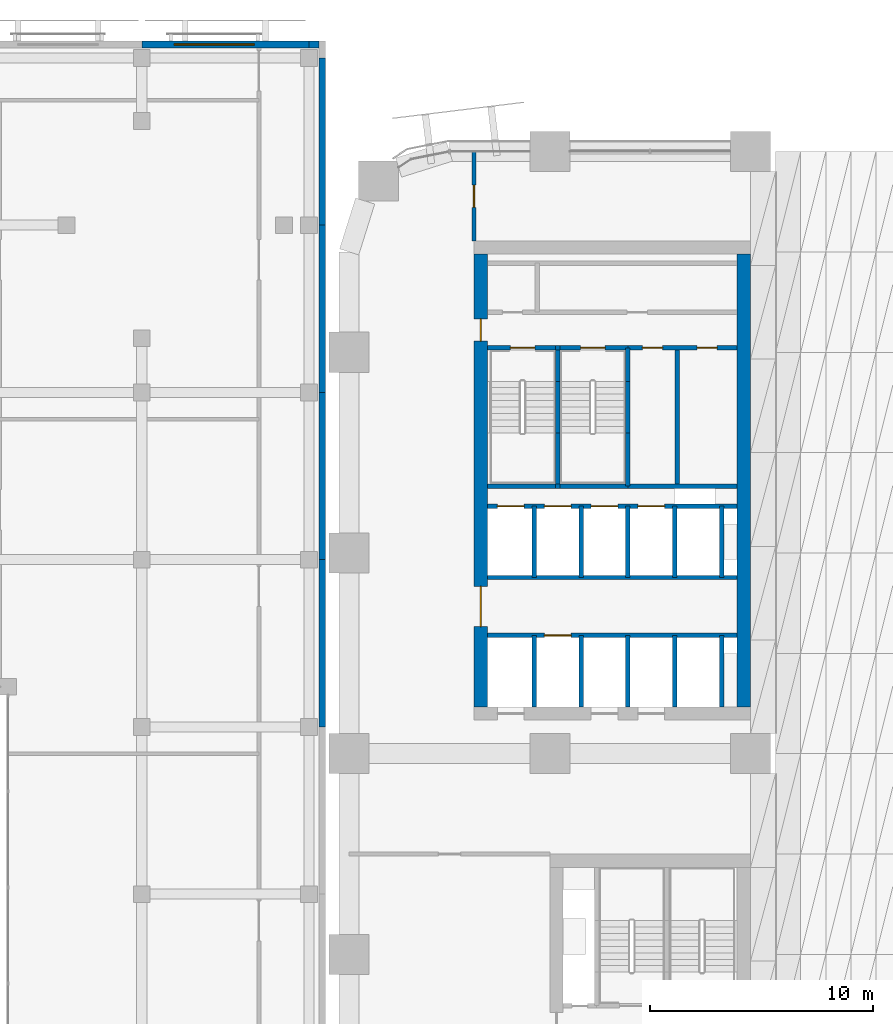
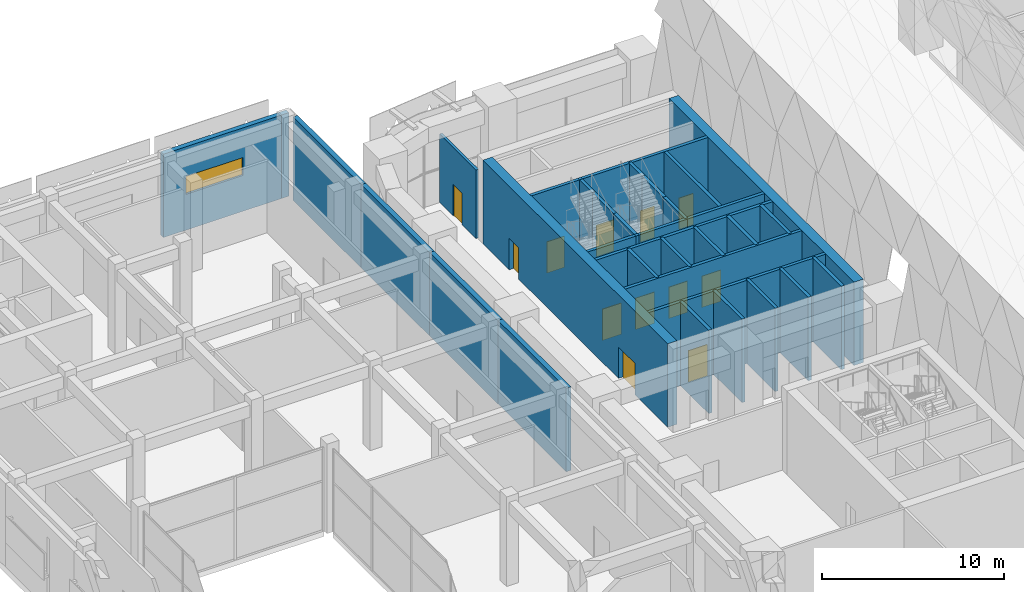
# One storey, part 20 of 46: 37 walls, 12 doors, 1 window, 13 openings.
"""IFC4 building model written with IfcOpenShell, lengths in metres."""

from ifc_helpers import new_model, si_unit, direction, frame, frame_2d, origin, place, context, subcontext, project, spatial, rectangle, extrude, material, layer, layer_set, type_object, element, fill, save


model = new_model("IFC4")

# Units and contexts
model_context = context("Model", 3, precision=1e-05, world=origin(), true_north=direction((0.0, 1.0)))
body_context = subcontext(model_context, "Body", "Model", "MODEL_VIEW")
ifc_project = project(units=[si_unit("LENGTHUNIT", "METRE"), si_unit("AREAUNIT", "SQUARE_METRE"), si_unit("VOLUMEUNIT", "CUBIC_METRE"), si_unit("PLANEANGLEUNIT", "RADIAN"), si_unit("MASSUNIT", "GRAM", prefix="KILO")], contexts=[model_context])

# Site, building, storey
site_placement = place(None, origin())
site = spatial("IfcSite", under=ifc_project, at=site_placement, CompositionType="ELEMENT")
building_placement = place(site_placement, origin())
building = spatial("IfcBuilding", under=site, at=building_placement, Name="Tessera Arch", CompositionType="ELEMENT")
storey_placement = place(building_placement, frame((0.0, 0.0, 8.0)))
storey = spatial("IfcBuildingStorey", under=building, at=storey_placement, Name="L01", CompositionType="ELEMENT", Elevation=8.0)

# Wall
ifc_material_1 = material(Name="Gypsum board on steel stud", Category="steel")
ifc_layer_1 = layer(ifc_material_1, 0.125)
ifc_layer_set_1 = layer_set([ifc_layer_1], Name="Core partition 125 EI 60")
wall_type_1 = type_object("IfcWallType", Name="Core partition 125 EI 60", PredefinedType="PARTITIONING", material=ifc_layer_set_1)
wall_1_placement = place(storey_placement, frame((14.705078125, 39.0, 0.0), z_axis=(0.0, 0.0, 1.0), x_axis=(0.0, 1.0, 0.0)))
element("IfcWall", 1, at=wall_1_placement, inside=storey, type_object=wall_type_1, Name="L01 C2 partition wall 16", PredefinedType="PARTITIONING", context=body_context, shape_type="SweptSolid", body=[
    extrude(rectangle(XDim=6.199951171875, YDim=0.199951171875, at=frame_2d((3.10009765625, 0.0))), origin(), (0.0, 0.0, 1.0), 5.590087890625),
])

# Wall, openings, doors
wall_2_placement = place(storey_placement, frame((12.5, 45.199951171875, 0.0), z_axis=(0.0, 0.0, 1.0), x_axis=(1.0, 0.0, 0.0)))
wall_2 = element("IfcWall", 2, at=wall_2_placement, inside=storey, type_object=wall_type_1, Name="L01 C2 partition wall 26", PredefinedType="PARTITIONING", context=body_context, shape_type="SweptSolid", body=[
    extrude(rectangle(XDim=4.89990234375, YDim=0.199951171875, at=frame_2d((2.449951171875, 0.0))), origin(), (0.0, 0.0, 1.0), 5.590087890625),
])
opening_1_placement = place(wall_2_placement, frame((0.652587890625, 0.0, 0.0)))
opening_1 = element("IfcOpeningElement", 3, at=opening_1_placement, cuts=wall_2, Name="Opening L01-C27", PredefinedType="OPENING", context=body_context, shape_type="SweptSolid", body=[
    extrude(rectangle(XDim=0.89990234375, YDim=2.10009765625, at=frame_2d((0.449951171875, 1.050048828125))), frame((0.0, 0.10986328125, 0.0), z_axis=(0.0, -1.0, 0.0), x_axis=(1.0, 0.0, 0.0)), (0.0, 0.0, 1.0), 0.219970703125),
])
opening_2_placement = place(wall_2_placement, frame((3.1025390625, 0.0, 0.0)))
opening_2 = element("IfcOpeningElement", 4, at=opening_2_placement, cuts=wall_2, Name="Opening L01-C28", PredefinedType="OPENING", context=body_context, shape_type="SweptSolid", body=[
    extrude(rectangle(XDim=0.89990234375, YDim=2.10009765625, at=frame_2d((0.449951171875, 1.050048828125))), frame((0.0, 0.10986328125, 0.0), z_axis=(0.0, -1.0, 0.0), x_axis=(1.0, 0.0, 0.0)), (0.0, 0.0, 1.0), 0.219970703125),
])
ifc_material_2 = material(Name="Steel door leaf", Category="steel")
door_type_1 = type_object("IfcDoorType", Name="Store door FD30S 900 x 2100", OperationType="SINGLE_SWING_LEFT", PredefinedType="DOOR", material=ifc_material_2)
door_1_placement = place(opening_1_placement, origin())
door_1 = element("IfcDoor", 5, at=door_1_placement, inside=storey, type_object=door_type_1, Name="L01 C2 door 15 C27 type D09", OperationType="SINGLE_SWING_LEFT", OverallHeight=2.10009765625, OverallWidth=0.89990234375, PredefinedType="DOOR", context=body_context, shape_type="SweptSolid", body=[
    extrude(rectangle(XDim=0.89990234375, YDim=2.10009765625, at=frame_2d((0.449951171875, 1.050048828125))), frame((0.0, 0.02490234375, 0.0), z_axis=(0.0, -1.0, 0.0), x_axis=(1.0, 0.0, 0.0)), (0.0, 0.0, 1.0), 0.050048828125),
])
fill(opening_1, door_1)
door_2_placement = place(opening_2_placement, origin())
door_2 = element("IfcDoor", 6, at=door_2_placement, inside=storey, type_object=door_type_1, Name="L01 C2 door 16 C28 type D09", OperationType="SINGLE_SWING_RIGHT", OverallHeight=2.10009765625, OverallWidth=0.89990234375, PredefinedType="DOOR", context=body_context, shape_type="SweptSolid", body=[
    extrude(rectangle(XDim=0.89990234375, YDim=2.10009765625, at=frame_2d((0.449951171875, 1.050048828125))), frame((0.0, 0.02490234375, 0.0), z_axis=(0.0, -1.0, 0.0), x_axis=(1.0, 0.0, 0.0)), (0.0, 0.0, 1.0), 0.050048828125),
])
fill(opening_2, door_2)

ifc_material_3 = material(Name="Concrete C70/85", Category="concrete")
ifc_layer_2 = layer(ifc_material_3, 0.60009765625)
ifc_layer_set_2 = layer_set([ifc_layer_2], Name="Core shell wall 600 C70-85")
wall_type_2 = type_object("IfcWallType", Name="Core shell wall 600 C70-85", PredefinedType="SHEAR", material=ifc_layer_set_2)
wall_3_placement = place(storey_placement, frame((5.89990234375, 29.10009765625, 0.0), z_axis=(0.0, 0.0, 1.0), x_axis=(0.0, 1.0, 0.0)))
wall_3 = element("IfcWall", 7, at=wall_3_placement, inside=storey, type_object=wall_type_2, Name="L01 C2 core wall W", PredefinedType="SHEAR", context=body_context, shape_type="SweptSolid", body=[
    extrude(rectangle(XDim=20.2998046875, YDim=0.60009765625, at=frame_2d((10.14990234375, 0.0))), origin(), (0.0, 0.0, 1.0), 5.590087890625),
])
opening_3_placement = place(wall_3_placement, frame((3.60009765625, 0.0, 0.0)))
opening_3 = element("IfcOpeningElement", 8, at=opening_3_placement, cuts=wall_3, Name="Opening L01-C21", PredefinedType="OPENING", context=body_context, shape_type="SweptSolid", body=[
    extrude(rectangle(XDim=1.800048828125, YDim=2.10009765625, at=frame_2d((0.89990234375, 1.050048828125))), frame((0.0, 0.31005859375, 0.0), z_axis=(0.0, -1.0, 0.0), x_axis=(1.0, 0.0, 0.0)), (0.0, 0.0, 1.0), 0.6201171875),
])
opening_4_placement = place(wall_3_placement, frame((16.39990234375, 0.0, 0.0)))
opening_4 = element("IfcOpeningElement", 9, at=opening_4_placement, cuts=wall_3, Name="Opening L01-C24", PredefinedType="OPENING", context=body_context, shape_type="SweptSolid", body=[
    extrude(rectangle(XDim=1.0, YDim=2.10009765625, at=frame_2d((0.5, 1.050048828125))), frame((0.0, 0.31005859375, 0.0), z_axis=(0.0, -1.0, 0.0), x_axis=(1.0, 0.0, 0.0)), (0.0, 0.0, 1.0), 0.6201171875),
])
ifc_material_4 = material(Name="Steel door leaf", Category="steel")
door_type_2 = type_object("IfcDoorType", Name="Corridor door FD60 1000 x 2100", OperationType="SINGLE_SWING_LEFT", PredefinedType="DOOR", material=ifc_material_4)
door_3_placement = place(opening_4_placement, origin())
door_3 = element("IfcDoor", 10, at=door_3_placement, inside=storey, type_object=door_type_2, Name="L01 C2 door 12 C24 type D12", OperationType="SINGLE_SWING_RIGHT", OverallHeight=2.10009765625, OverallWidth=1.0, PredefinedType="DOOR", context=body_context, shape_type="SweptSolid", body=[
    extrude(rectangle(XDim=1.0, YDim=2.10009765625, at=frame_2d((0.5, 1.050048828125))), frame((0.0, 0.02490234375, 0.0), z_axis=(0.0, -1.0, 0.0), x_axis=(1.0, 0.0, 0.0)), (0.0, 0.0, 1.0), 0.050048828125),
])
fill(opening_4, door_3)
ifc_material_5 = material(Name="Glazed steel door leaf", Category="steel")
door_type_3 = type_object("IfcDoorType", Name="Lobby double door FD30S 1800 x 2100", OperationType="DOUBLE_DOOR_SINGLE_SWING", PredefinedType="DOOR", material=ifc_material_5)
door_4_placement = place(opening_3_placement, origin())
door_4 = element("IfcDoor", 11, at=door_4_placement, inside=storey, type_object=door_type_3, Name="L01 C2 door 9 C21 type D06", OperationType="DOUBLE_DOOR_SINGLE_SWING", OverallHeight=2.10009765625, OverallWidth=1.800048828125, PredefinedType="DOOR", context=body_context, shape_type="SweptSolid", body=[
    extrude(rectangle(XDim=1.800048828125, YDim=2.10009765625, at=frame_2d((0.89990234375, 1.050048828125))), frame((0.0, 0.02490234375, 0.0), z_axis=(0.0, -1.0, 0.0), x_axis=(1.0, 0.0, 0.0)), (0.0, 0.0, 1.0), 0.050048828125),
])
fill(opening_3, door_4)

# Wall
wall_4_placement = place(storey_placement, frame((17.699951171875, 29.10009765625, 0.0), z_axis=(0.0, 0.0, 1.0), x_axis=(0.0, 1.0, 0.0)))
element("IfcWall", 12, at=wall_4_placement, inside=storey, type_object=wall_type_2, Name="L01 C2 core wall E", PredefinedType="SHEAR", context=body_context, shape_type="SweptSolid", body=[
    extrude(rectangle(XDim=20.2998046875, YDim=0.60009765625, at=frame_2d((10.14990234375, 0.0))), origin(), (0.0, 0.0, 1.0), 5.590087890625),
])

# Wall, opening, door
ifc_material_6 = material(Name="Gypsum board on deep steel stud with mineral wool", Category="steel")
ifc_layer_3 = layer(ifc_material_6, 0.175048828125)
ifc_layer_set_3 = layer_set([ifc_layer_3], Name="Corridor wall 175 EI 60")
wall_type_3 = type_object("IfcWallType", Name="Corridor wall 175 EI 60", PredefinedType="PARTITIONING", material=ifc_layer_set_3)
wall_5_placement = place(storey_placement, frame((5.60009765625, 50.0, 0.0), z_axis=(0.0, 0.0, 1.0), x_axis=(0.0, 1.0, 0.0)))
wall_5 = element("IfcWall", 13, at=wall_5_placement, inside=storey, type_object=wall_type_3, Name="L01 partition 20", PredefinedType="PARTITIONING", context=body_context, shape_type="SweptSolid", body=[
    extrude(rectangle(XDim=4.0, YDim=0.175048828125, at=frame_2d((2.0, 0.0))), origin(), (0.0, 0.0, 1.0), 4.590087890625),
])
opening_5_placement = place(wall_5_placement, frame((1.5, 0.0, 0.0)))
opening_5 = element("IfcOpeningElement", 14, at=opening_5_placement, cuts=wall_5, Name="Opening L01-D014", PredefinedType="OPENING", context=body_context, shape_type="SweptSolid", body=[
    extrude(rectangle(XDim=1.0, YDim=2.10009765625, at=frame_2d((0.5, 1.050048828125))), frame((0.0, 0.097412109375, 0.0), z_axis=(0.0, -1.0, 0.0), x_axis=(1.0, 0.0, 0.0)), (0.0, 0.0, 1.0), 0.195068359375),
])
ifc_material_7 = material(Name="Fire-rated door leaf")
door_type_4 = type_object("IfcDoorType", Name="Entrance door FD30S 1000 x 2100", OperationType="SINGLE_SWING_LEFT", PredefinedType="DOOR", material=ifc_material_7)
door_5_placement = place(opening_5_placement, origin())
door_5 = element("IfcDoor", 15, at=door_5_placement, inside=storey, type_object=door_type_4, Name="L01 door D014 type D03", OperationType="SINGLE_SWING_LEFT", OverallHeight=2.10009765625, OverallWidth=1.0, PredefinedType="DOOR", context=body_context, shape_type="SweptSolid", body=[
    extrude(rectangle(XDim=1.0, YDim=2.10009765625, at=frame_2d((0.5, 1.050048828125))), frame((0.0, 0.02490234375, 0.0), z_axis=(0.0, -1.0, 0.0), x_axis=(1.0, 0.0, 0.0)), (0.0, 0.0, 1.0), 0.050048828125),
])
fill(opening_5, door_5)

# Wall
ifc_material_8 = material(Name="Aluminium cladding pale metal anodised", Category="aluminium")
ifc_layer_4 = layer(ifc_material_8, 0.300048828125)
ifc_layer_set_4 = layer_set([ifc_layer_4], Name="Museum envelope wall pale metal")
wall_type_4 = type_object("IfcWallType", Name="Museum envelope wall pale metal", PredefinedType="SOLIDWALL", material=ifc_layer_set_4)
wall_6_placement = place(storey_placement, frame((-1.35009765625, 58.800048828125, 0.0), z_axis=(0.0, 0.0, 1.0), x_axis=(-1.0, 0.0, 0.0)))
element("IfcWall", 16, at=wall_6_placement, inside=storey, type_object=wall_type_4, Name="Museum external wall pale metal mashrabiya pattern", PredefinedType="SOLIDWALL", context=body_context, shape_type="SweptSolid", body=[
    extrude(rectangle(XDim=0.449951171875, YDim=0.300048828125, at=frame_2d((0.22509765625, 0.0))), origin(), (0.0, 0.0, 1.0), 5.590087890625),
])

# Wall, opening, window
wall_7_placement = place(storey_placement, frame((-1.800048828125, 58.800048828125, 0.0), z_axis=(0.0, 0.0, 1.0), x_axis=(-1.0, 0.0, 0.0)))
wall_7 = element("IfcWall", 17, at=wall_7_placement, inside=storey, type_object=wall_type_4, Name="Museum external wall pale metal mashrabiya pattern", PredefinedType="SOLIDWALL", context=body_context, shape_type="SweptSolid", body=[
    extrude(rectangle(XDim=7.5, YDim=0.300048828125, at=frame_2d((3.75, 0.0))), origin(), (0.0, 0.0, 1.0), 5.590087890625),
])
opening_6_placement = place(wall_7_placement, frame((2.449951171875, 0.0, 2.39990234375)))
opening_6 = element("IfcOpeningElement", 18, at=opening_6_placement, cuts=wall_7, Name="Opening L01-MV16", PredefinedType="OPENING", context=body_context, shape_type="SweptSolid", body=[
    extrude(rectangle(XDim=3.60009765625, YDim=1.199951171875, at=frame_2d((1.800048828125, 0.60009765625))), frame((0.0, 0.159912109375, 0.0), z_axis=(0.0, -1.0, 0.0), x_axis=(1.0, 0.0, 0.0)), (0.0, 0.0, 1.0), 0.320068359375),
])
ifc_material_9 = material(Name="Clear low-e glass in aluminium frame", Category="aluminium")
window_type = type_object("IfcWindowType", Name="Museum clerestory window", PartitioningType="SINGLE_PANEL", PredefinedType="WINDOW", material=ifc_material_9)
window_placement = place(opening_6_placement, origin())
window = element("IfcWindow", 19, at=window_placement, inside=storey, type_object=window_type, Name="Museum window L01 5-2", OverallHeight=1.199951171875, OverallWidth=3.60009765625, PartitioningType="SINGLE_PANEL", PredefinedType="WINDOW", context=body_context, shape_type="SweptSolid", body=[
    extrude(rectangle(XDim=3.60009765625, YDim=1.199951171875, at=frame_2d((1.800048828125, 0.60009765625))), frame((0.0, 0.030029296875, 0.0), z_axis=(0.0, -1.0, 0.0), x_axis=(1.0, 0.0, 0.0)), (0.0, 0.0, 1.0), 0.06005859375),
])
fill(opening_6, window)

# Walls
ifc_material_10 = material(Name="Concrete C40/50", Category="concrete")
ifc_layer_5 = layer(ifc_material_10, 0.300048828125)
ifc_layer_set_5 = layer_set([ifc_layer_5], Name="Museum fire wall")
wall_type_5 = type_object("IfcWallType", Name="Museum fire wall", PredefinedType="SOLIDWALL", material=ifc_layer_set_5)
for number, where, z_axis, x_axis, name in (
    (20, (-1.199951171875, 28.199951171875, 0.0), (0.0, 0.0, 1.0), (0.0, 1.0, 0.0), "Museum fire wall at the movement joint"),
    (21, (-1.199951171875, 35.699951171875, 0.0), (0.0, 0.0, 1.0), (0.0, 1.0, 0.0), "Museum fire wall at the movement joint"),
    (22, (-1.199951171875, 43.199951171875, 0.0), (0.0, 0.0, 1.0), (0.0, 1.0, 0.0), "Museum fire wall at the movement joint"),
    (23, (-1.199951171875, 50.699951171875, 0.0), (0.0, 0.0, 1.0), (0.0, 1.0, 0.0), "Museum fire wall at the movement joint"),
):
    element("IfcWall", number, at=place(storey_placement, frame(where, z_axis=z_axis, x_axis=x_axis)), inside=storey, type_object=wall_type_5, Name=name, PredefinedType="SOLIDWALL", context=body_context, shape_type="SweptSolid", body=[
        extrude(rectangle(XDim=7.5, YDim=0.300048828125, at=frame_2d((3.75, 0.0))), origin(), (0.0, 0.0, 1.0), 5.590087890625),
    ])
ifc_material_11 = material(Name="Concrete C40/50", Category="concrete")
ifc_layer_6 = layer(ifc_material_11, 0.199951171875)
ifc_layer_set_6 = layer_set([ifc_layer_6], Name="Shaft wall 200 EI 120")
wall_type_6 = type_object("IfcWallType", Name="Shaft wall 200 EI 120", PredefinedType="SOLIDWALL", material=ifc_layer_set_6)
wall_8_placement = place(storey_placement, frame((8.300048828125, 29.10009765625, 0.0), z_axis=(0.0, 0.0, 1.0), x_axis=(0.0, 1.0, 0.0)))
element("IfcWall", 24, at=wall_8_placement, inside=storey, type_object=wall_type_6, Name="L01 C2 shaft wall 1", PredefinedType="SOLIDWALL", context=body_context, shape_type="SweptSolid", body=[
    extrude(rectangle(XDim=3.199951171875, YDim=0.199951171875, at=frame_2d((1.60009765625, 0.0))), origin(), (0.0, 0.0, 1.0), 5.590087890625),
])
wall_9_placement = place(storey_placement, frame((8.300048828125, 34.89990234375, 0.0), z_axis=(0.0, 0.0, 1.0), x_axis=(0.0, 1.0, 0.0)))
element("IfcWall", 25, at=wall_9_placement, inside=storey, type_object=wall_type_6, Name="L01 C2 shaft wall 2", PredefinedType="SOLIDWALL", context=body_context, shape_type="SweptSolid", body=[
    extrude(rectangle(XDim=3.2001953125, YDim=0.199951171875, at=frame_2d((1.60009765625, 0.0))), origin(), (0.0, 0.0, 1.0), 5.590087890625),
])
wall_10_placement = place(storey_placement, frame((10.39990234375, 29.10009765625, 0.0), z_axis=(0.0, 0.0, 1.0), x_axis=(0.0, 1.0, 0.0)))
element("IfcWall", 26, at=wall_10_placement, inside=storey, type_object=wall_type_6, Name="L01 C2 shaft wall 7", PredefinedType="SOLIDWALL", context=body_context, shape_type="SweptSolid", body=[
    extrude(rectangle(XDim=3.199951171875, YDim=0.199951171875, at=frame_2d((1.60009765625, 0.0))), origin(), (0.0, 0.0, 1.0), 5.590087890625),
])
wall_11_placement = place(storey_placement, frame((10.39990234375, 34.89990234375, 0.0), z_axis=(0.0, 0.0, 1.0), x_axis=(0.0, 1.0, 0.0)))
element("IfcWall", 27, at=wall_11_placement, inside=storey, type_object=wall_type_6, Name="L01 C2 shaft wall 8", PredefinedType="SOLIDWALL", context=body_context, shape_type="SweptSolid", body=[
    extrude(rectangle(XDim=3.2001953125, YDim=0.199951171875, at=frame_2d((1.60009765625, 0.0))), origin(), (0.0, 0.0, 1.0), 5.590087890625),
])
wall_12_placement = place(storey_placement, frame((12.5, 29.10009765625, 0.0), z_axis=(0.0, 0.0, 1.0), x_axis=(0.0, 1.0, 0.0)))
element("IfcWall", 28, at=wall_12_placement, inside=storey, type_object=wall_type_6, Name="L01 C2 shaft wall 9", PredefinedType="SOLIDWALL", context=body_context, shape_type="SweptSolid", body=[
    extrude(rectangle(XDim=3.199951171875, YDim=0.199951171875, at=frame_2d((1.60009765625, 0.0))), origin(), (0.0, 0.0, 1.0), 5.590087890625),
])
wall_13_placement = place(storey_placement, frame((12.5, 34.89990234375, 0.0), z_axis=(0.0, 0.0, 1.0), x_axis=(0.0, 1.0, 0.0)))
element("IfcWall", 29, at=wall_13_placement, inside=storey, type_object=wall_type_6, Name="L01 C2 shaft wall 10", PredefinedType="SOLIDWALL", context=body_context, shape_type="SweptSolid", body=[
    extrude(rectangle(XDim=3.2001953125, YDim=0.199951171875, at=frame_2d((1.60009765625, 0.0))), origin(), (0.0, 0.0, 1.0), 5.590087890625),
])
wall_14_placement = place(storey_placement, frame((14.60009765625, 29.10009765625, 0.0), z_axis=(0.0, 0.0, 1.0), x_axis=(0.0, 1.0, 0.0)))
element("IfcWall", 30, at=wall_14_placement, inside=storey, type_object=wall_type_6, Name="L01 C2 shaft wall 14", PredefinedType="SOLIDWALL", context=body_context, shape_type="SweptSolid", body=[
    extrude(rectangle(XDim=3.199951171875, YDim=0.199951171875, at=frame_2d((1.60009765625, 0.0))), origin(), (0.0, 0.0, 1.0), 5.590087890625),
])
wall_15_placement = place(storey_placement, frame((14.60009765625, 34.89990234375, 0.0), z_axis=(0.0, 0.0, 1.0), x_axis=(0.0, 1.0, 0.0)))
element("IfcWall", 31, at=wall_15_placement, inside=storey, type_object=wall_type_6, Name="L01 C2 shaft wall 15", PredefinedType="SOLIDWALL", context=body_context, shape_type="SweptSolid", body=[
    extrude(rectangle(XDim=3.2001953125, YDim=0.199951171875, at=frame_2d((1.60009765625, 0.0))), origin(), (0.0, 0.0, 1.0), 5.590087890625),
])
wall_16_placement = place(storey_placement, frame((16.699951171875, 29.10009765625, 0.0), z_axis=(0.0, 0.0, 1.0), x_axis=(0.0, 1.0, 0.0)))
element("IfcWall", 32, at=wall_16_placement, inside=storey, type_object=wall_type_6, Name="L01 C2 shaft wall 17", PredefinedType="SOLIDWALL", context=body_context, shape_type="SweptSolid", body=[
    extrude(rectangle(XDim=3.199951171875, YDim=0.199951171875, at=frame_2d((1.60009765625, 0.0))), origin(), (0.0, 0.0, 1.0), 5.590087890625),
])
wall_17_placement = place(storey_placement, frame((16.699951171875, 34.89990234375, 0.0), z_axis=(0.0, 0.0, 1.0), x_axis=(0.0, 1.0, 0.0)))
element("IfcWall", 33, at=wall_17_placement, inside=storey, type_object=wall_type_6, Name="L01 C2 shaft wall 18", PredefinedType="SOLIDWALL", context=body_context, shape_type="SweptSolid", body=[
    extrude(rectangle(XDim=3.2001953125, YDim=0.199951171875, at=frame_2d((1.60009765625, 0.0))), origin(), (0.0, 0.0, 1.0), 5.590087890625),
])

# Wall, opening, door
wall_18_placement = place(storey_placement, frame((6.199951171875, 32.300048828125, 0.0), z_axis=(0.0, 0.0, 1.0), x_axis=(1.0, 0.0, 0.0)))
wall_18 = element("IfcWall", 34, at=wall_18_placement, inside=storey, type_object=wall_type_6, Name="L01 C2 shaft wall 19", PredefinedType="SOLIDWALL", context=body_context, shape_type="SweptSolid", body=[
    extrude(rectangle(XDim=11.199951171875, YDim=0.199951171875, at=frame_2d((5.60009765625, 0.0))), origin(), (0.0, 0.0, 1.0), 5.590087890625),
])
opening_7_placement = place(wall_18_placement, frame((2.550048828125, 0.0, 0.0)))
opening_7 = element("IfcOpeningElement", 35, at=opening_7_placement, cuts=wall_18, Name="Opening L01-C14", PredefinedType="OPENING", context=body_context, shape_type="SweptSolid", body=[
    extrude(rectangle(XDim=1.199951171875, YDim=2.10009765625, at=frame_2d((0.60009765625, 1.050048828125))), frame((0.0, 0.10986328125, 0.0), z_axis=(0.0, -1.0, 0.0), x_axis=(1.0, 0.0, 0.0)), (0.0, 0.0, 1.0), 0.219970703125),
])
ifc_material_12 = material(Name="Stainless steel AISI 304", Category="steel")
door_type_5 = type_object("IfcDoorType", Name="Sliding landing door 1200 x 2100", OperationType="SLIDING_TO_LEFT", PredefinedType="DOOR", material=ifc_material_12)
door_6_placement = place(opening_7_placement, origin())
door_6 = element("IfcDoor", 36, at=door_6_placement, inside=storey, type_object=door_type_5, Name="L01 LR2 lift landing door C14 type LD", OperationType="SLIDING_TO_LEFT", OverallHeight=2.10009765625, OverallWidth=1.199951171875, PredefinedType="DOOR", context=body_context, shape_type="SweptSolid", body=[
    extrude(rectangle(XDim=1.199951171875, YDim=2.10009765625, at=frame_2d((0.60009765625, 1.050048828125))), frame((0.0, 0.02490234375, 0.0), z_axis=(0.0, -1.0, 0.0), x_axis=(1.0, 0.0, 0.0)), (0.0, 0.0, 1.0), 0.050048828125),
])
fill(opening_7, door_6)

# Wall
wall_19_placement = place(storey_placement, frame((6.199951171875, 34.89990234375, 0.0), z_axis=(0.0, 0.0, 1.0), x_axis=(1.0, 0.0, 0.0)))
element("IfcWall", 37, at=wall_19_placement, inside=storey, type_object=wall_type_6, Name="L01 C2 shaft wall 20", PredefinedType="SOLIDWALL", context=body_context, shape_type="SweptSolid", body=[
    extrude(rectangle(XDim=11.199951171875, YDim=0.199951171875, at=frame_2d((5.60009765625, 0.0))), origin(), (0.0, 0.0, 1.0), 5.590087890625),
])

# Wall, openings, doors
wall_20_placement = place(storey_placement, frame((6.199951171875, 38.10009765625, 0.0), z_axis=(0.0, 0.0, 1.0), x_axis=(1.0, 0.0, 0.0)))
wall_20 = element("IfcWall", 38, at=wall_20_placement, inside=storey, type_object=wall_type_6, Name="L01 C2 shaft wall 21", PredefinedType="SOLIDWALL", context=body_context, shape_type="SweptSolid", body=[
    extrude(rectangle(XDim=11.199951171875, YDim=0.199951171875, at=frame_2d((5.60009765625, 0.0))), origin(), (0.0, 0.0, 1.0), 5.590087890625),
])
opening_8_placement = place(wall_20_placement, frame((0.449951171875, 0.0, 0.0)))
opening_8 = element("IfcOpeningElement", 39, at=opening_8_placement, cuts=wall_20, Name="Opening L01-C17", PredefinedType="OPENING", context=body_context, shape_type="SweptSolid", body=[
    extrude(rectangle(XDim=1.199951171875, YDim=2.10009765625, at=frame_2d((0.60009765625, 1.050048828125))), frame((0.0, 0.10986328125, 0.0), z_axis=(0.0, -1.0, 0.0), x_axis=(1.0, 0.0, 0.0)), (0.0, 0.0, 1.0), 0.219970703125),
])
opening_9_placement = place(wall_20_placement, frame((2.550048828125, 0.0, 0.0)))
opening_9 = element("IfcOpeningElement", 40, at=opening_9_placement, cuts=wall_20, Name="Opening L01-C18", PredefinedType="OPENING", context=body_context, shape_type="SweptSolid", body=[
    extrude(rectangle(XDim=1.199951171875, YDim=2.10009765625, at=frame_2d((0.60009765625, 1.050048828125))), frame((0.0, 0.10986328125, 0.0), z_axis=(0.0, -1.0, 0.0), x_axis=(1.0, 0.0, 0.0)), (0.0, 0.0, 1.0), 0.219970703125),
])
opening_10_placement = place(wall_20_placement, frame((4.64990234375, 0.0, 0.0)))
opening_10 = element("IfcOpeningElement", 41, at=opening_10_placement, cuts=wall_20, Name="Opening L01-C19", PredefinedType="OPENING", context=body_context, shape_type="SweptSolid", body=[
    extrude(rectangle(XDim=1.199951171875, YDim=2.10009765625, at=frame_2d((0.60009765625, 1.050048828125))), frame((0.0, 0.10986328125, 0.0), z_axis=(0.0, -1.0, 0.0), x_axis=(1.0, 0.0, 0.0)), (0.0, 0.0, 1.0), 0.219970703125),
])
opening_11_placement = place(wall_20_placement, frame((6.75, 0.0, 0.0)))
opening_11 = element("IfcOpeningElement", 42, at=opening_11_placement, cuts=wall_20, Name="Opening L01-C20", PredefinedType="OPENING", context=body_context, shape_type="SweptSolid", body=[
    extrude(rectangle(XDim=1.199951171875, YDim=2.10009765625, at=frame_2d((0.60009765625, 1.050048828125))), frame((0.0, 0.10986328125, 0.0), z_axis=(0.0, -1.0, 0.0), x_axis=(1.0, 0.0, 0.0)), (0.0, 0.0, 1.0), 0.219970703125),
])
door_7_placement = place(opening_8_placement, origin())
door_7 = element("IfcDoor", 43, at=door_7_placement, inside=storey, type_object=door_type_5, Name="L01 LR5 lift landing door C17 type LD", OperationType="SLIDING_TO_LEFT", OverallHeight=2.10009765625, OverallWidth=1.199951171875, PredefinedType="DOOR", context=body_context, shape_type="SweptSolid", body=[
    extrude(rectangle(XDim=1.199951171875, YDim=2.10009765625, at=frame_2d((0.60009765625, 1.050048828125))), frame((0.0, 0.02490234375, 0.0), z_axis=(0.0, -1.0, 0.0), x_axis=(1.0, 0.0, 0.0)), (0.0, 0.0, 1.0), 0.050048828125),
])
fill(opening_8, door_7)
door_8_placement = place(opening_9_placement, origin())
door_8 = element("IfcDoor", 44, at=door_8_placement, inside=storey, type_object=door_type_5, Name="L01 LR6 lift landing door C18 type LD", OperationType="SLIDING_TO_LEFT", OverallHeight=2.10009765625, OverallWidth=1.199951171875, PredefinedType="DOOR", context=body_context, shape_type="SweptSolid", body=[
    extrude(rectangle(XDim=1.199951171875, YDim=2.10009765625, at=frame_2d((0.60009765625, 1.050048828125))), frame((0.0, 0.02490234375, 0.0), z_axis=(0.0, -1.0, 0.0), x_axis=(1.0, 0.0, 0.0)), (0.0, 0.0, 1.0), 0.050048828125),
])
fill(opening_9, door_8)
door_9_placement = place(opening_10_placement, origin())
door_9 = element("IfcDoor", 45, at=door_9_placement, inside=storey, type_object=door_type_5, Name="L01 LR7 lift landing door C19 type LD", OperationType="SLIDING_TO_LEFT", OverallHeight=2.10009765625, OverallWidth=1.199951171875, PredefinedType="DOOR", context=body_context, shape_type="SweptSolid", body=[
    extrude(rectangle(XDim=1.199951171875, YDim=2.10009765625, at=frame_2d((0.60009765625, 1.050048828125))), frame((0.0, 0.02490234375, 0.0), z_axis=(0.0, -1.0, 0.0), x_axis=(1.0, 0.0, 0.0)), (0.0, 0.0, 1.0), 0.050048828125),
])
fill(opening_10, door_9)
door_10_placement = place(opening_11_placement, origin())
door_10 = element("IfcDoor", 46, at=door_10_placement, inside=storey, type_object=door_type_5, Name="L01 LR8 lift landing door C20 type LD", OperationType="SLIDING_TO_LEFT", OverallHeight=2.10009765625, OverallWidth=1.199951171875, PredefinedType="DOOR", context=body_context, shape_type="SweptSolid", body=[
    extrude(rectangle(XDim=1.199951171875, YDim=2.10009765625, at=frame_2d((0.60009765625, 1.050048828125))), frame((0.0, 0.02490234375, 0.0), z_axis=(0.0, -1.0, 0.0), x_axis=(1.0, 0.0, 0.0)), (0.0, 0.0, 1.0), 0.050048828125),
])
fill(opening_11, door_10)

# Walls
wall_21_placement = place(storey_placement, frame((12.5, 39.0, 0.0), z_axis=(0.0, 0.0, 1.0), x_axis=(1.0, 0.0, 0.0)))
element("IfcWall", 47, at=wall_21_placement, inside=storey, type_object=wall_type_6, Name="L01 C2 shaft wall 22", PredefinedType="SOLIDWALL", context=body_context, shape_type="SweptSolid", body=[
    extrude(rectangle(XDim=4.89990234375, YDim=0.199951171875, at=frame_2d((2.449951171875, 0.0))), origin(), (0.0, 0.0, 1.0), 5.590087890625),
])
ifc_material_13 = material(Name="Concrete C40/50", Category="concrete")
ifc_layer_7 = layer(ifc_material_13, 0.199951171875)
ifc_layer_set_7 = layer_set([ifc_layer_7], Name="Stair well wall 200 REI 180")
wall_type_7 = type_object("IfcWallType", Name="Stair well wall 200 REI 180", PredefinedType="SOLIDWALL", material=ifc_layer_set_7)
wall_22_placement = place(storey_placement, frame((9.35009765625, 39.0, 0.0), z_axis=(0.0, 0.0, 1.0), x_axis=(0.0, 1.0, 0.0)))
element("IfcWall", 48, at=wall_22_placement, inside=storey, type_object=wall_type_7, Name="L01 C2 shaft wall 4", PredefinedType="SOLIDWALL", context=body_context, shape_type="SweptSolid", body=[
    extrude(rectangle(XDim=2.3798828125, YDim=0.199951171875, at=frame_2d((1.18994140625, 0.0))), origin(), (0.0, 0.0, 1.0), 5.590087890625),
])
wall_23_placement = place(storey_placement, frame((9.35009765625, 41.3798828125, 0.0), z_axis=(0.0, 0.0, 1.0), x_axis=(0.0, 1.0, 0.0)))
element("IfcWall", 49, at=wall_23_placement, inside=storey, type_object=wall_type_7, Name="L01 C2 shaft wall 5", PredefinedType="SOLIDWALL", context=body_context, shape_type="SweptSolid", body=[
    extrude(rectangle(XDim=2.320068359375, YDim=0.199951171875, at=frame_2d((1.16015625, 0.0))), origin(), (0.0, 0.0, 1.0), 5.590087890625),
])
wall_24_placement = place(storey_placement, frame((9.35009765625, 43.699951171875, 0.0), z_axis=(0.0, 0.0, 1.0), x_axis=(0.0, 1.0, 0.0)))
element("IfcWall", 50, at=wall_24_placement, inside=storey, type_object=wall_type_7, Name="L01 C2 shaft wall 6", PredefinedType="SOLIDWALL", context=body_context, shape_type="SweptSolid", body=[
    extrude(rectangle(XDim=1.5, YDim=0.199951171875, at=frame_2d((0.75, 0.0))), origin(), (0.0, 0.0, 1.0), 5.590087890625),
])
wall_25_placement = place(storey_placement, frame((12.5, 39.0, 0.0), z_axis=(0.0, 0.0, 1.0), x_axis=(0.0, 1.0, 0.0)))
element("IfcWall", 51, at=wall_25_placement, inside=storey, type_object=wall_type_7, Name="L01 C2 shaft wall 11", PredefinedType="SOLIDWALL", context=body_context, shape_type="SweptSolid", body=[
    extrude(rectangle(XDim=2.3798828125, YDim=0.199951171875, at=frame_2d((1.18994140625, 0.0))), origin(), (0.0, 0.0, 1.0), 5.590087890625),
])
wall_26_placement = place(storey_placement, frame((12.5, 41.3798828125, 0.0), z_axis=(0.0, 0.0, 1.0), x_axis=(0.0, 1.0, 0.0)))
element("IfcWall", 52, at=wall_26_placement, inside=storey, type_object=wall_type_7, Name="L01 C2 shaft wall 12", PredefinedType="SOLIDWALL", context=body_context, shape_type="SweptSolid", body=[
    extrude(rectangle(XDim=2.320068359375, YDim=0.199951171875, at=frame_2d((1.16015625, 0.0))), origin(), (0.0, 0.0, 1.0), 5.590087890625),
])
wall_27_placement = place(storey_placement, frame((12.5, 43.699951171875, 0.0), z_axis=(0.0, 0.0, 1.0), x_axis=(0.0, 1.0, 0.0)))
element("IfcWall", 53, at=wall_27_placement, inside=storey, type_object=wall_type_7, Name="L01 C2 shaft wall 13", PredefinedType="SOLIDWALL", context=body_context, shape_type="SweptSolid", body=[
    extrude(rectangle(XDim=1.5, YDim=0.199951171875, at=frame_2d((0.75, 0.0))), origin(), (0.0, 0.0, 1.0), 5.590087890625),
])
wall_28_placement = place(storey_placement, frame((6.199951171875, 39.0, 0.0), z_axis=(0.0, 0.0, 1.0), x_axis=(1.0, 0.0, 0.0)))
element("IfcWall", 54, at=wall_28_placement, inside=storey, type_object=wall_type_7, Name="L01 C2 shaft wall 23", PredefinedType="SOLIDWALL", context=body_context, shape_type="SweptSolid", body=[
    extrude(rectangle(XDim=3.050048828125, YDim=0.199951171875, at=frame_2d((1.52490234375, 0.0))), origin(), (0.0, 0.0, 1.0), 5.590087890625),
])
wall_29_placement = place(storey_placement, frame((9.25, 39.0, 0.0), z_axis=(0.0, 0.0, 1.0), x_axis=(1.0, 0.0, 0.0)))
element("IfcWall", 55, at=wall_29_placement, inside=storey, type_object=wall_type_7, Name="L01 C2 shaft wall 24", PredefinedType="SOLIDWALL", context=body_context, shape_type="SweptSolid", body=[
    extrude(rectangle(XDim=0.199951171875, YDim=0.199951171875, at=frame_2d((0.10009765625, 0.0))), origin(), (0.0, 0.0, 1.0), 5.590087890625),
])
wall_30_placement = place(storey_placement, frame((9.449951171875, 39.0, 0.0), z_axis=(0.0, 0.0, 1.0), x_axis=(1.0, 0.0, 0.0)))
element("IfcWall", 56, at=wall_30_placement, inside=storey, type_object=wall_type_7, Name="L01 C2 shaft wall 25", PredefinedType="SOLIDWALL", context=body_context, shape_type="SweptSolid", body=[
    extrude(rectangle(XDim=3.050048828125, YDim=0.199951171875, at=frame_2d((1.52490234375, 0.0))), origin(), (0.0, 0.0, 1.0), 5.590087890625),
])

# Wall, opening, door
wall_31_placement = place(storey_placement, frame((6.199951171875, 45.199951171875, 0.0), z_axis=(0.0, 0.0, 1.0), x_axis=(1.0, 0.0, 0.0)))
wall_31 = element("IfcWall", 57, at=wall_31_placement, inside=storey, type_object=wall_type_7, Name="L01 C2 shaft wall 27", PredefinedType="SOLIDWALL", context=body_context, shape_type="SweptSolid", body=[
    extrude(rectangle(XDim=3.050048828125, YDim=0.199951171875, at=frame_2d((1.52490234375, 0.0))), origin(), (0.0, 0.0, 1.0), 5.590087890625),
])
opening_12_placement = place(wall_31_placement, frame((1.02490234375, 0.0, 0.0)))
opening_12 = element("IfcOpeningElement", 58, at=opening_12_placement, cuts=wall_31, Name="Opening L01-C22", PredefinedType="OPENING", context=body_context, shape_type="SweptSolid", body=[
    extrude(rectangle(XDim=1.10009765625, YDim=2.10009765625, at=frame_2d((0.550048828125, 1.050048828125))), frame((0.0, 0.10986328125, 0.0), z_axis=(0.0, -1.0, 0.0), x_axis=(1.0, 0.0, 0.0)), (0.0, 0.0, 1.0), 0.219970703125),
])
ifc_material_14 = material(Name="Steel door leaf", Category="steel")
door_type_6 = type_object("IfcDoorType", Name="Stair door FD60 1100 x 2100", OperationType="SINGLE_SWING_LEFT", PredefinedType="DOOR", material=ifc_material_14)
door_11_placement = place(opening_12_placement, origin())
door_11 = element("IfcDoor", 59, at=door_11_placement, inside=storey, type_object=door_type_6, Name="L01 C2 door 10 C22 type D05", OperationType="SINGLE_SWING_RIGHT", OverallHeight=2.10009765625, OverallWidth=1.10009765625, PredefinedType="DOOR", context=body_context, shape_type="SweptSolid", body=[
    extrude(rectangle(XDim=1.10009765625, YDim=2.10009765625, at=frame_2d((0.550048828125, 1.050048828125))), frame((0.0, 0.02490234375, 0.0), z_axis=(0.0, -1.0, 0.0), x_axis=(1.0, 0.0, 0.0)), (0.0, 0.0, 1.0), 0.050048828125),
])
fill(opening_12, door_11)

# Wall
wall_32_placement = place(storey_placement, frame((9.25, 45.199951171875, 0.0), z_axis=(0.0, 0.0, 1.0), x_axis=(1.0, 0.0, 0.0)))
element("IfcWall", 60, at=wall_32_placement, inside=storey, type_object=wall_type_7, Name="L01 C2 shaft wall 28", PredefinedType="SOLIDWALL", context=body_context, shape_type="SweptSolid", body=[
    extrude(rectangle(XDim=0.199951171875, YDim=0.199951171875, at=frame_2d((0.10009765625, 0.0))), origin(), (0.0, 0.0, 1.0), 5.590087890625),
])

# Wall, opening, door
wall_33_placement = place(storey_placement, frame((9.449951171875, 45.199951171875, 0.0), z_axis=(0.0, 0.0, 1.0), x_axis=(1.0, 0.0, 0.0)))
wall_33 = element("IfcWall", 61, at=wall_33_placement, inside=storey, type_object=wall_type_7, Name="L01 C2 shaft wall 29", PredefinedType="SOLIDWALL", context=body_context, shape_type="SweptSolid", body=[
    extrude(rectangle(XDim=3.050048828125, YDim=0.199951171875, at=frame_2d((1.52490234375, 0.0))), origin(), (0.0, 0.0, 1.0), 5.590087890625),
])
opening_13_placement = place(wall_33_placement, frame((0.925048828125, 0.0, 0.0)))
opening_13 = element("IfcOpeningElement", 62, at=opening_13_placement, cuts=wall_33, Name="Opening L01-C23", PredefinedType="OPENING", context=body_context, shape_type="SweptSolid", body=[
    extrude(rectangle(XDim=1.10009765625, YDim=2.10009765625, at=frame_2d((0.550048828125, 1.050048828125))), frame((0.0, 0.10986328125, 0.0), z_axis=(0.0, -1.0, 0.0), x_axis=(1.0, 0.0, 0.0)), (0.0, 0.0, 1.0), 0.219970703125),
])
door_12_placement = place(opening_13_placement, origin())
door_12 = element("IfcDoor", 63, at=door_12_placement, inside=storey, type_object=door_type_6, Name="L01 C2 door 11 C23 type D05", OperationType="SINGLE_SWING_LEFT", OverallHeight=2.10009765625, OverallWidth=1.10009765625, PredefinedType="DOOR", context=body_context, shape_type="SweptSolid", body=[
    extrude(rectangle(XDim=1.10009765625, YDim=2.10009765625, at=frame_2d((0.550048828125, 1.050048828125))), frame((0.0, 0.02490234375, 0.0), z_axis=(0.0, -1.0, 0.0), x_axis=(1.0, 0.0, 0.0)), (0.0, 0.0, 1.0), 0.050048828125),
])
fill(opening_13, door_12)

save(model, "model.ifc")
